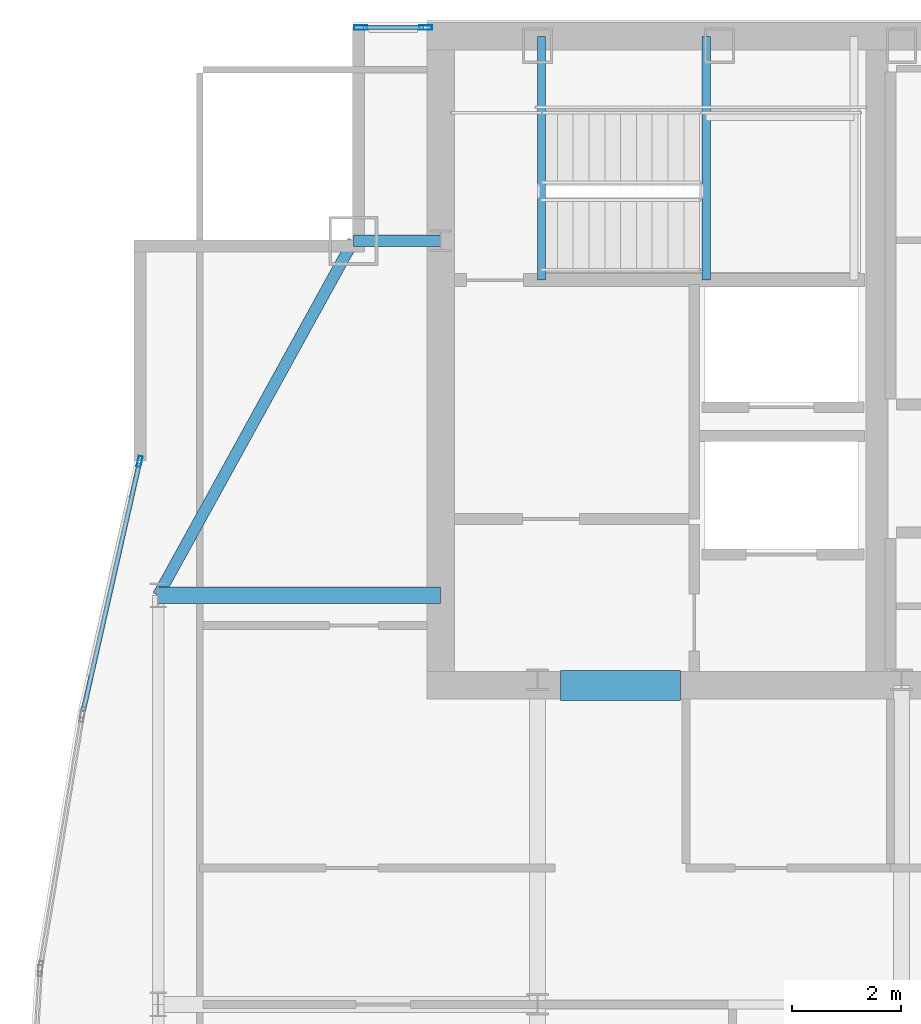
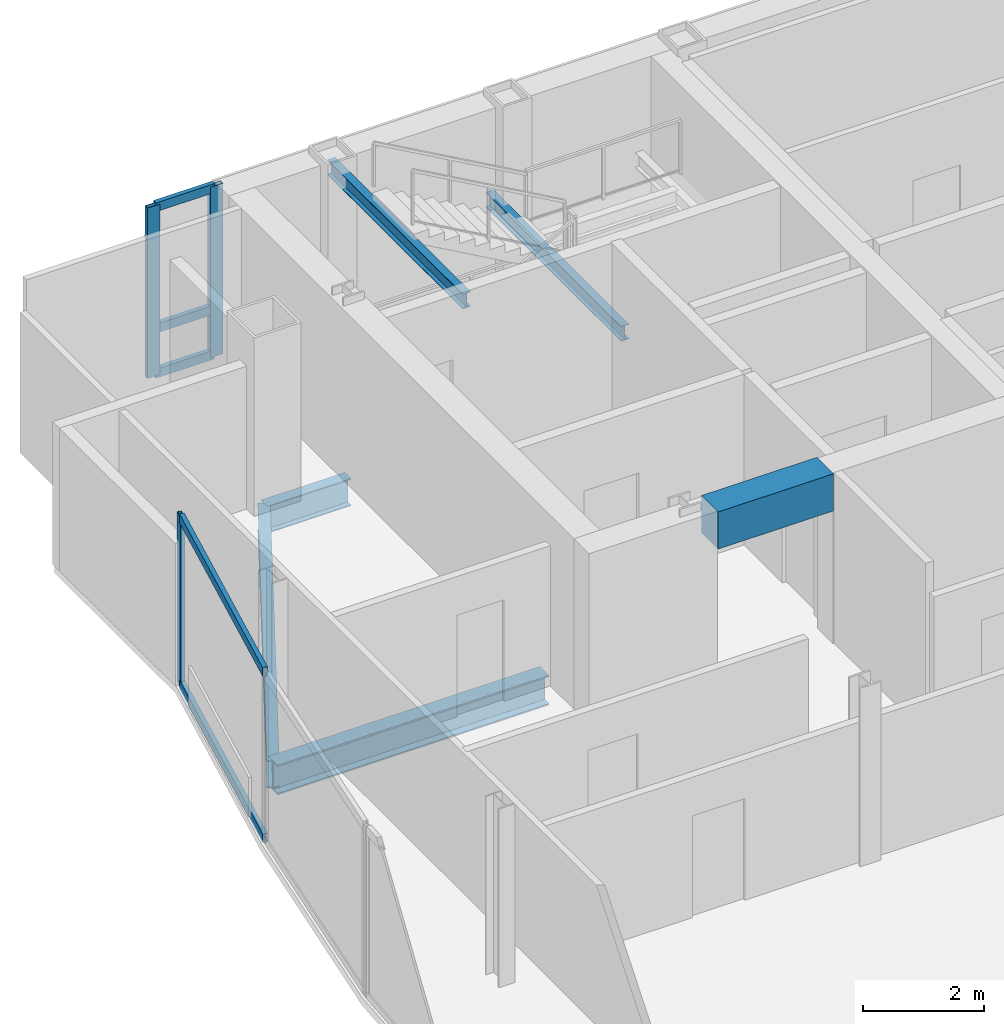
# One storey, part 20 of 29: 8 members, 6 beams, 2 elements without a shape of their own.
"""IFC4 building model written with IfcOpenShell, lengths in metres."""

from ifc_helpers import new_model, si_unit, direction, frame, origin, origin_2d, place, context, subcontext, project, spatial, rectangle, hollow_rectangle, i_section, extrude, material, material_profile, profile_set, type_object, element, aggregate, save


model = new_model("IFC4")

# Units and contexts
model_context = context("Model", 3, precision=1e-05, world=origin(), true_north=direction((0.0, 1.0)))
body_context = subcontext(model_context, "Body", "Model", "MODEL_VIEW")
ifc_project = project(units=[si_unit("LENGTHUNIT", "METRE"), si_unit("AREAUNIT", "SQUARE_METRE"), si_unit("VOLUMEUNIT", "CUBIC_METRE"), si_unit("PLANEANGLEUNIT", "RADIAN"), si_unit("MASSUNIT", "GRAM", prefix="KILO")], contexts=[model_context])

# Site, building, storey
site_placement = place(None, origin())
site = spatial("IfcSite", under=ifc_project, at=site_placement, CompositionType="ELEMENT")
building_placement = place(site_placement, origin())
building = spatial("IfcBuilding", under=site, at=building_placement, Name="Khoronbel Lancet Exchange", CompositionType="ELEMENT")
storey_placement = place(building_placement, frame((0.0, 0.0, 318.199951171875)))
storey = spatial("IfcBuildingStorey", under=building, at=storey_placement, Name="L82", CompositionType="ELEMENT", Elevation=318.199951171875)

# Beams
ifc_material_1 = material(Name="Steel S355", Category="steel")
ifc_material_profile_1 = material_profile(ifc_material_1, i_section(OverallWidth=0.300048828125, OverallDepth=0.60009765625, WebThickness=0.015380859375, FlangeThickness=0.030029296875, at=origin_2d()), Name="HEB 600")
ifc_profile_set_1 = profile_set([ifc_material_profile_1], Name="Steel S355")
beam_type_1 = type_object("IfcBeamType", Name="BM-BG5", PredefinedType="BEAM", material=ifc_profile_set_1)
beam_1_placement = place(storey_placement, frame((11.27001953125, 43.199951171875, -0.4599609375), z_axis=(1.0, 0.0, 0.0), x_axis=(0.0, 1.0, 0.0)))
element("IfcBeam", 1, at=beam_1_placement, inside=storey, type_object=beam_type_1, Name="Level L82 west lens tie girder LG3W", PredefinedType="BEAM", context=body_context, shape_type="SweptSolid", body=[
    extrude(i_section(OverallWidth=0.300048828125, OverallDepth=0.60009765625, WebThickness=0.015380859375, FlangeThickness=0.030029296875, at=origin_2d()), origin(), (0.0, 0.0, 1.0), 5.179931640625),
])
ifc_material_profile_2 = material_profile(ifc_material_1, i_section(OverallWidth=0.14990234375, OverallDepth=0.300048828125, WebThickness=0.007080078125, FlangeThickness=0.0107421875, at=origin_2d()), Name="IPE 300")
ifc_profile_set_2 = profile_set([ifc_material_profile_2], Name="Steel S355")
beam_type_2 = type_object("IfcBeamType", Name="BM-BJ8", PredefinedType="JOIST", material=ifc_profile_set_2)
for number, where, z_axis, x_axis, name in (
    (2, (21.320068359375, 48.97998046875, 1.449951171875), (0.0, 1.0, 0.0), (-1.0, 0.0, 0.0), "Level L82 stair ST1 landing bearer beam 1"),
    (3, (18.300048828125, 48.97998046875, 3.16015625), (0.0, 1.0, 0.0), (-1.0, 0.0, 0.0), "Level L82 stair ST1 upper-flight arrival trimmer beam"),
):
    element("IfcBeam", number, at=place(storey_placement, frame(where, z_axis=z_axis, x_axis=x_axis)), inside=storey, type_object=beam_type_2, Name=name, PredefinedType="JOIST", context=body_context, shape_type="SweptSolid", body=[
        extrude(i_section(OverallWidth=0.14990234375, OverallDepth=0.300048828125, WebThickness=0.007080078125, FlangeThickness=0.0107421875, at=origin_2d()), origin(), (0.0, 0.0, 1.0), 4.469970703125),
    ])
ifc_material_2 = material(Name="Concrete C60/75", Category="concrete")
ifc_material_profile_3 = material_profile(ifc_material_2, rectangle(XDim=0.550048828125, YDim=0.75, at=origin_2d()), Name="RC 550x750")
ifc_profile_set_3 = profile_set([ifc_material_profile_3], Name="Concrete C60/75")
beam_type_3 = type_object("IfcBeamType", Name="BM-BL2", PredefinedType="LINTEL", material=ifc_profile_set_3)
beam_2_placement = place(storey_placement, frame((18.64990234375, 41.550048828125, 3.06494140625), z_axis=(1.0, 0.0, 0.0), x_axis=(0.0, 1.0, 0.0)))
element("IfcBeam", 4, at=beam_2_placement, inside=storey, type_object=beam_type_3, Name="Level L82 rear core coupling lintel L1", PredefinedType="LINTEL", context=body_context, shape_type="SweptSolid", body=[
    extrude(rectangle(XDim=0.550048828125, YDim=0.75, at=origin_2d()), origin(), (0.0, 0.0, 1.0), 2.2001953125),
])
ifc_material_profile_4 = material_profile(ifc_material_1, i_section(OverallWidth=0.2099609375, OverallDepth=0.550048828125, WebThickness=0.010986328125, FlangeThickness=0.01708984375, at=origin_2d()), Name="IPE 550")
ifc_profile_set_4 = profile_set([ifc_material_profile_4], Name="Steel S355")
beam_type_4 = type_object("IfcBeamType", Name="BM-BSP3", PredefinedType="SPANDREL", material=ifc_profile_set_4)
beam_3_placement = place(storey_placement, frame((14.85009765625, 49.699951171875, -0.43505859375), z_axis=(-0.482444051088, -0.875926787791, 0.0), x_axis=(0.875926787791, -0.482444051088, 0.0)))
element("IfcBeam", 5, at=beam_3_placement, inside=storey, type_object=beam_type_4, Name="Level L82 perimeter spandrel beam SP14", PredefinedType="SPANDREL", context=body_context, shape_type="SweptSolid", body=[
    extrude(i_section(OverallWidth=0.2099609375, OverallDepth=0.550048828125, WebThickness=0.010986328125, FlangeThickness=0.01708984375, at=origin_2d()), origin(), (0.0, 0.0, 1.0), 7.420654296875),
])
beam_4_placement = place(storey_placement, frame((14.85009765625, 49.699951171875, -0.43505859375), z_axis=(1.0, 0.0, 0.0), x_axis=(0.0, 1.0, 0.0)))
element("IfcBeam", 6, at=beam_4_placement, inside=storey, type_object=beam_type_4, Name="Level L82 north flank tie spandrel SP20", PredefinedType="SPANDREL", context=body_context, shape_type="SweptSolid", body=[
    extrude(i_section(OverallWidth=0.2099609375, OverallDepth=0.550048828125, WebThickness=0.010986328125, FlangeThickness=0.01708984375, at=origin_2d()), origin(), (0.0, 0.0, 1.0), 1.599853515625),
])

# Curtain wall, members
ifc_material_3 = material(Name="Low-E Solar Control Insulating Glass", Category="glass")
curtain_wall_type_1 = type_object("IfcCurtainWallType", Name="CW-3", PredefinedType="NOTDEFINED", material=ifc_material_3)
curtain_wall_1_placement = place(storey_placement, origin())
curtain_wall_1 = element("IfcCurtainWall", 7, at=curtain_wall_1_placement, inside=storey, type_object=curtain_wall_type_1, Name="Unitised curtain wall CW-L82-NWFLK", PredefinedType="NOTDEFINED")
ifc_material_4 = material(Name="Bronze-Anodised Aluminium 6063-T6", Category="aluminium")
ifc_material_profile_5 = material_profile(ifc_material_4, hollow_rectangle(XDim=0.0849609375, YDim=0.239990234375, WallThickness=0.006103515625, at=origin_2d()), Name="ALU MULLION 85x240")
ifc_profile_set_5 = profile_set([ifc_material_profile_5], Name="Bronze-Anodised Aluminium 6063-T6")
member_type_1 = type_object("IfcMemberType", Name="MEM-CWM1", PredefinedType="MULLION", material=ifc_profile_set_5)
member_1_placement = place(storey_placement, frame((16.177490234375, 53.610107421875, 0.0), z_axis=(0.0, 0.0, 1.0), x_axis=(0.0, -1.0, 0.0)))
member_1 = element("IfcMember", 8, at=member_1_placement, type_object=member_type_1, Name="CW3 mullion 1", PredefinedType="MULLION", context=body_context, shape_type="SweptSolid", body=[
    extrude(hollow_rectangle(XDim=0.0849609375, YDim=0.239990234375, WallThickness=0.006103515625, at=origin_2d()), origin(), (0.0, 0.0, 1.0), 3.43994140625),
])
member_2_placement = place(storey_placement, frame((14.982421875, 53.610107421875, 0.0), z_axis=(0.0, 0.0, 1.0), x_axis=(0.0, -1.0, 0.0)))
member_2 = element("IfcMember", 9, at=member_2_placement, type_object=member_type_1, Name="CW3 mullion 2", PredefinedType="MULLION", context=body_context, shape_type="SweptSolid", body=[
    extrude(hollow_rectangle(XDim=0.0849609375, YDim=0.239990234375, WallThickness=0.006103515625, at=origin_2d()), origin(), (0.0, 0.0, 1.0), 3.43994140625),
])

curtain_wall_type_2 = type_object("IfcCurtainWallType", Name="CW-4", PredefinedType="NOTDEFINED", material=ifc_material_3)
curtain_wall_2_placement = place(storey_placement, origin())
curtain_wall_2 = element("IfcCurtainWall", 10, at=curtain_wall_2_placement, inside=storey, type_object=curtain_wall_type_2, Name="Unitised curtain wall CW-L82-E09", PredefinedType="NOTDEFINED")
ifc_material_profile_6 = material_profile(ifc_material_4, hollow_rectangle(XDim=0.074951171875, YDim=0.199951171875, WallThickness=0.0048828125, at=origin_2d()), Name="ALU MULLION 75x200")
ifc_profile_set_6 = profile_set([ifc_material_profile_6], Name="Bronze-Anodised Aluminium 6063-T6")
member_type_2 = type_object("IfcMemberType", Name="MEM-CWM2", PredefinedType="MULLION", material=ifc_profile_set_6)
member_3_placement = place(storey_placement, frame((10.931640625, 45.6533203125, 0.0), z_axis=(0.0, 0.0, 1.0), x_axis=(-0.975333138033, 0.220738011804, 0.0)))
member_3 = element("IfcMember", 11, at=member_3_placement, type_object=member_type_2, Name="CW4 mullion 2", PredefinedType="MULLION", context=body_context, shape_type="SweptSolid", body=[
    extrude(hollow_rectangle(XDim=0.074951171875, YDim=0.199951171875, WallThickness=0.0048828125, at=origin_2d()), origin(), (0.0, 0.0, 1.0), 3.43994140625),
])
ifc_material_profile_7 = material_profile(ifc_material_4, hollow_rectangle(XDim=0.0849609375, YDim=0.179931640625, WallThickness=0.0048828125, at=origin_2d()), Name="ALU TRANSOM 85x180")
ifc_profile_set_7 = profile_set([ifc_material_profile_7], Name="Bronze-Anodised Aluminium 6063-T6")
member_type_3 = type_object("IfcMemberType", Name="MEM-CWT1", PredefinedType="USERDEFINED", material=ifc_profile_set_7)
member_4_placement = place(storey_placement, frame((9.898681640625, 41.089111328125, 0.04248046875), z_axis=(0.220732202652, 0.975334452746, 0.0), x_axis=(-0.975334452746, 0.220732202652, 0.0)))
member_4 = element("IfcMember", 12, at=member_4_placement, type_object=member_type_3, Name="CW4 transom 1.1", ObjectType="TRANSOM", PredefinedType="USERDEFINED", context=body_context, shape_type="SweptSolid", body=[
    extrude(hollow_rectangle(XDim=0.0849609375, YDim=0.179931640625, WallThickness=0.0048828125, at=origin_2d()), origin(), (0.0, 0.0, 1.0), 4.64208984375),
])
member_5_placement = place(storey_placement, frame((9.898681640625, 41.089111328125, 3.3974609375), z_axis=(0.220732202652, 0.975334452746, 0.0), x_axis=(-0.975334452746, 0.220732202652, 0.0)))
member_5 = element("IfcMember", 13, at=member_5_placement, type_object=member_type_3, Name="CW4 transom 1.2", ObjectType="TRANSOM", PredefinedType="USERDEFINED", context=body_context, shape_type="SweptSolid", body=[
    extrude(hollow_rectangle(XDim=0.0849609375, YDim=0.179931640625, WallThickness=0.0048828125, at=origin_2d()), origin(), (0.0, 0.0, 1.0), 4.64208984375),
])
aggregate(curtain_wall_2, [member_3, member_4, member_5])

# Member
member_6_placement = place(storey_placement, frame((16.135009765625, 53.610107421875, 0.04248046875), z_axis=(-1.0, 0.0, 0.0), x_axis=(0.0, -1.0, 0.0)))
member_6 = element("IfcMember", 14, at=member_6_placement, type_object=member_type_3, Name="CW3 transom 1.1", ObjectType="TRANSOM", PredefinedType="USERDEFINED", context=body_context, shape_type="SweptSolid", body=[
    extrude(hollow_rectangle(XDim=0.0849609375, YDim=0.179931640625, WallThickness=0.0048828125, at=origin_2d()), origin(), (0.0, 0.0, 1.0), 1.110107421875),
])

member_7_placement = place(storey_placement, frame((16.135009765625, 53.610107421875, 0.949951171875), z_axis=(-1.0, 0.0, 0.0), x_axis=(0.0, -1.0, 0.0)))
member_7 = element("IfcMember", 15, at=member_7_placement, type_object=member_type_3, Name="CW3 transom 1.2", ObjectType="TRANSOM", PredefinedType="USERDEFINED", context=body_context, shape_type="SweptSolid", body=[
    extrude(hollow_rectangle(XDim=0.0849609375, YDim=0.179931640625, WallThickness=0.0048828125, at=origin_2d()), origin(), (0.0, 0.0, 1.0), 1.110107421875),
])

member_8_placement = place(storey_placement, frame((16.135009765625, 53.610107421875, 3.3974609375), z_axis=(-1.0, 0.0, 0.0), x_axis=(0.0, -1.0, 0.0)))
member_8 = element("IfcMember", 16, at=member_8_placement, type_object=member_type_3, Name="CW3 transom 1.3", ObjectType="TRANSOM", PredefinedType="USERDEFINED", context=body_context, shape_type="SweptSolid", body=[
    extrude(hollow_rectangle(XDim=0.0849609375, YDim=0.179931640625, WallThickness=0.0048828125, at=origin_2d()), origin(), (0.0, 0.0, 1.0), 1.110107421875),
])

aggregate(curtain_wall_1, [member_1, member_2, member_6, member_7, member_8])

save(model, "model.ifc")
